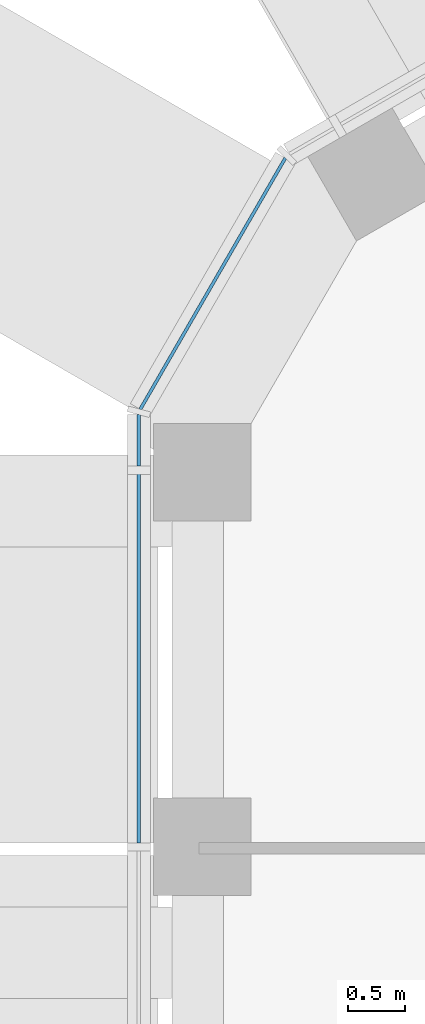
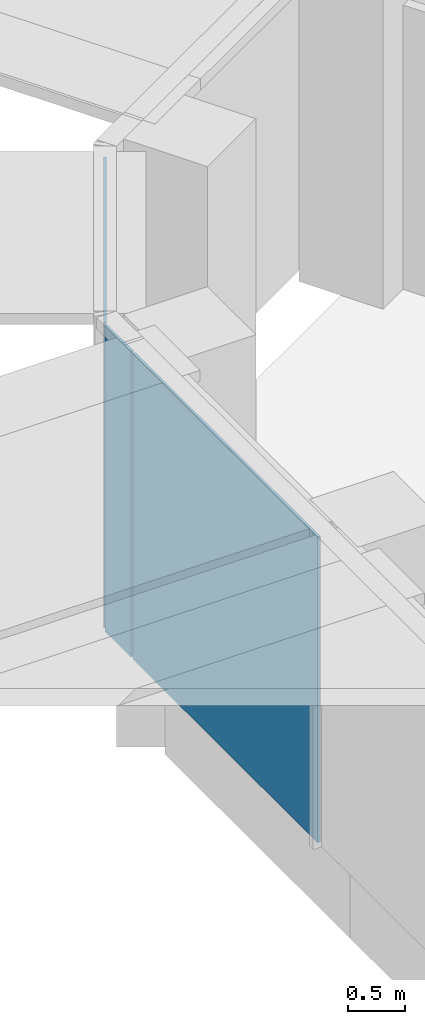
# One storey, part 8 of 17: 3 plates, 2 elements without a shape of their own.
"""IFC4 building model written with IfcOpenShell, lengths in metres."""

from ifc_helpers import new_model, si_unit, direction, frame, origin, origin_2d, place, context, subcontext, project, spatial, rectangle, extrude, material, layer, layer_set, type_object, element, aggregate, save


model = new_model("IFC4")

# Units and contexts
model_context = context("Model", 3, precision=1e-05, world=origin(), true_north=direction((0.0, 1.0)))
body_context = subcontext(model_context, "Body", "Model", "MODEL_VIEW")
ifc_project = project(units=[si_unit("LENGTHUNIT", "METRE"), si_unit("AREAUNIT", "SQUARE_METRE"), si_unit("VOLUMEUNIT", "CUBIC_METRE"), si_unit("PLANEANGLEUNIT", "RADIAN"), si_unit("MASSUNIT", "GRAM", prefix="KILO")], contexts=[model_context])

# Site, building, storey
site_placement = place(None, origin())
site = spatial("IfcSite", under=ifc_project, at=site_placement, CompositionType="ELEMENT")
building_placement = place(site_placement, origin())
building = spatial("IfcBuilding", under=site, at=building_placement, Name="Ayvan Gate Tower", CompositionType="ELEMENT")
storey_placement = place(building_placement, frame((0.0, 0.0, 232.5)))
storey = spatial("IfcBuildingStorey", under=building, at=storey_placement, Name="L62", CompositionType="ELEMENT", Elevation=232.5)

# Curtain wall, plate
ifc_material_1 = material(Name="Bronze anodised aluminium", Category="aluminium")
ifc_layer_1 = layer(ifc_material_1, 0.199951171875)
ifc_layer_set_1 = layer_set([ifc_layer_1], Name="Bronze anodised aluminium")
curtain_wall_type_1 = type_object("IfcCurtainWallType", Name="Stick curtain wall CW-2", PredefinedType="NOTDEFINED", material=ifc_layer_set_1)
curtain_wall_1_placement = place(storey_placement, origin())
curtain_wall_1 = element("IfcCurtainWall", 1, at=curtain_wall_1_placement, inside=storey, type_object=curtain_wall_type_1, Name="Stick curtain wall CW-2 L62", PredefinedType="NOTDEFINED")
ifc_material_2 = material(Name="Clear low-iron laminated glass", Category="glass")
ifc_layer_2 = layer(ifc_material_2, 0.028076171875)
ifc_layer_set_2 = layer_set([ifc_layer_2], Name="Clear low-iron laminated glass")
plate_type_1 = type_object("IfcPlateType", Name="Stick curtain wall CW-2 glass panel", PredefinedType="CURTAIN_PANEL", material=ifc_layer_set_2)
plate_1_placement = place(storey_placement, frame((-17.175048828125, 6.563720703125, 0.0), z_axis=(0.0, 0.0, 1.0), x_axis=(0.0, -1.0, 0.0)))
plate_1 = element("IfcPlate", 2, at=plate_1_placement, type_object=plate_type_1, Name="CW-2 glass panel 1", PredefinedType="CURTAIN_PANEL", context=body_context, shape_type="SweptSolid", body=[
    extrude(rectangle(XDim=3.2509765625, YDim=0.028076171875, at=origin_2d()), origin(), (0.0, 0.0, 1.0), 3.280029296875),
])
aggregate(curtain_wall_1, [plate_1])

# Curtain wall, plates
ifc_layer_3 = layer(ifc_material_1, 0.199951171875)
ifc_layer_set_3 = layer_set([ifc_layer_3], Name="Bronze anodised aluminium")
curtain_wall_type_2 = type_object("IfcCurtainWallType", Name="Stick curtain wall CW-6", PredefinedType="NOTDEFINED", material=ifc_layer_set_3)
curtain_wall_2_placement = place(storey_placement, origin())
curtain_wall_2 = element("IfcCurtainWall", 3, at=curtain_wall_2_placement, inside=storey, type_object=curtain_wall_type_2, Name="Stick curtain wall CW-6 L62", PredefinedType="NOTDEFINED")
ifc_layer_4 = layer(ifc_material_2, 0.028076171875)
ifc_layer_set_4 = layer_set([ifc_layer_4], Name="Clear low-iron laminated glass")
plate_type_2 = type_object("IfcPlateType", Name="Stick curtain wall CW-6 glass panel", PredefinedType="CURTAIN_PANEL", material=ifc_layer_set_4)
plate_2_placement = place(storey_placement, frame((-16.529541015625, 9.8173828125, 0.0), z_axis=(0.0, 0.0, 1.0), x_axis=(-0.5, -0.866025403784, 0.0)))
plate_2 = element("IfcPlate", 4, at=plate_2_placement, type_object=plate_type_2, Name="CW-6 glass panel 2", PredefinedType="CURTAIN_PANEL", context=body_context, shape_type="SweptSolid", body=[
    extrude(rectangle(XDim=2.532470703125, YDim=0.028076171875, at=origin_2d()), origin(), (0.0, 0.0, 1.0), 3.280029296875),
])
plate_3_placement = place(storey_placement, frame((-17.175048828125, 8.44921875, 0.0), z_axis=(0.0, 0.0, 1.0), x_axis=(0.0, -1.0, 0.0)))
plate_3 = element("IfcPlate", 5, at=plate_3_placement, type_object=plate_type_2, Name="CW-6 glass panel 3", PredefinedType="CURTAIN_PANEL", context=body_context, shape_type="SweptSolid", body=[
    extrude(rectangle(XDim=0.449951171875, YDim=0.028076171875, at=origin_2d()), origin(), (0.0, 0.0, 1.0), 3.280029296875),
])
aggregate(curtain_wall_2, [plate_2, plate_3])

save(model, "model.ifc")
